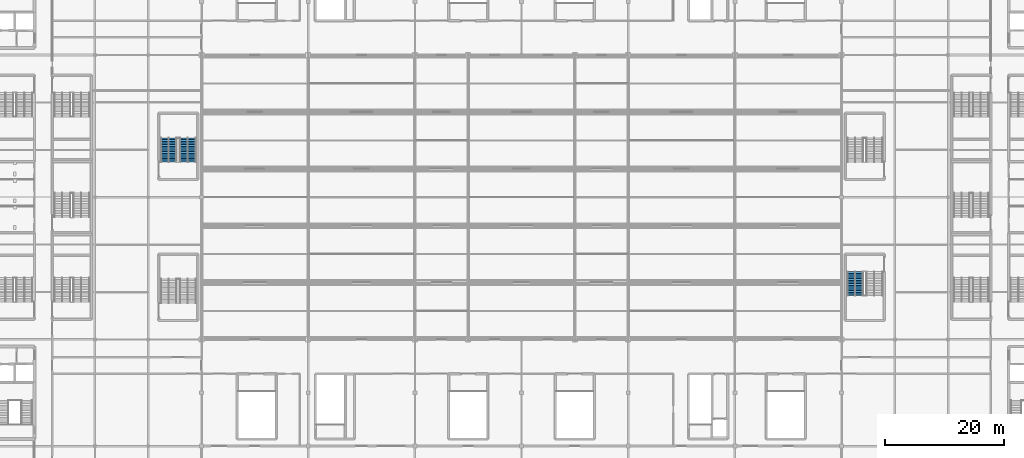
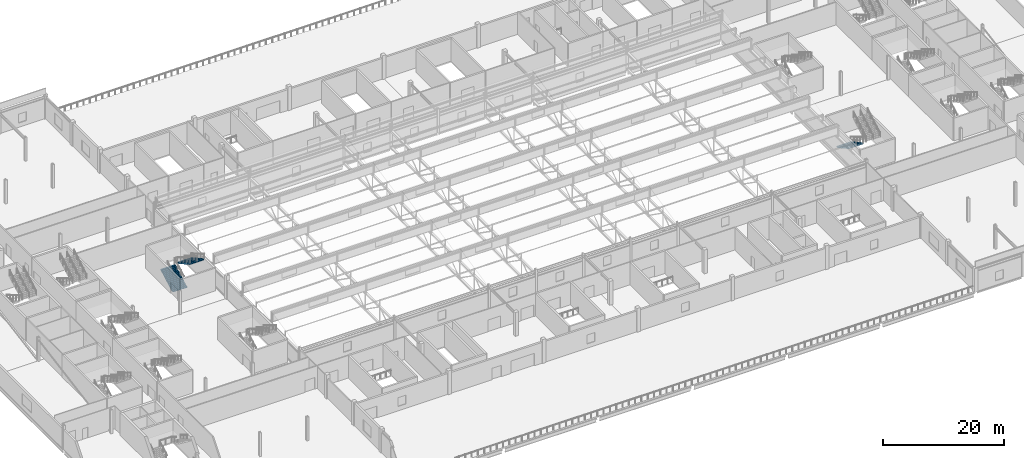
# One storey, part 120 of 136: 3 stair flights, 2 elements without a shape of their own.
"""IFC4 building model written with IfcOpenShell, lengths in metres."""

from ifc_helpers import new_model, si_unit, direction, frame, origin, place, context, subcontext, project, spatial, polygons, material, type_object, element, aggregate, save


model = new_model("IFC4")

# Units and contexts
model_context = context("Model", 3, precision=1e-05, world=origin(), true_north=direction((0.0, 1.0)))
body_context = subcontext(model_context, "Body", "Model", "MODEL_VIEW")
ifc_project = project(units=[si_unit("LENGTHUNIT", "METRE"), si_unit("AREAUNIT", "SQUARE_METRE"), si_unit("VOLUMEUNIT", "CUBIC_METRE"), si_unit("PLANEANGLEUNIT", "RADIAN"), si_unit("MASSUNIT", "GRAM", prefix="KILO")], contexts=[model_context])

# Site, building, storey
site_placement = place(None, origin())
site = spatial("IfcSite", under=ifc_project, at=site_placement, CompositionType="ELEMENT")
building_placement = place(site_placement, origin())
building = spatial("IfcBuilding", under=site, at=building_placement, Name="Kisiwana Market Hall", CompositionType="ELEMENT")
storey_placement = place(building_placement, frame((0.0, 0.0, 16.800048828125)))
storey = spatial("IfcBuildingStorey", under=building, at=storey_placement, Name="L03", CompositionType="ELEMENT", Elevation=16.800048828125)

# Stair, stair flight
ifc_material_1 = material(Name="Concrete C32/40", Category="concrete")
stair_type = type_object("IfcStairType", Name="ST-ESC-4800", PredefinedType="TWO_STRAIGHT_RUN_STAIR", material=ifc_material_1)
stair_1_placement = place(storey_placement, origin())
stair_1 = element("IfcStair", 1, at=stair_1_placement, inside=storey, type_object=stair_type, Name="Escape stair ST-E9-L03", PredefinedType="TWO_STRAIGHT_RUN_STAIR")
ifc_material_2 = material(Name="Concrete C32/40", Category="concrete")
stair_flight_type = type_object("IfcStairFlightType", Name="SF-ESC-4800", PredefinedType="STRAIGHT", material=ifc_material_2)
stair_flight_1_placement = place(storey_placement, frame((155.320068359375, 47.43994140625, 0.0), z_axis=(0.0, 0.0, 1.0), x_axis=(0.0, -1.0, 0.0)))
stair_flight_1 = element("IfcStairFlight", 2, at=stair_flight_1_placement, type_object=stair_flight_type, Name="ST-E9-L03 flight 1", NumberOfRisers=15, NumberOfTreads=14, PredefinedType="STRAIGHT", RiserHeight=0.16, TreadLength=0.29, context=body_context, shape_type="Tessellation", body=[
    polygons([(0.0, -1.380127, 0.0), (0.0, -0.690125, 0.0), (0.0, -0.000122, 0.0), (0.0, 0.68988, 0.0), (0.0, 1.379883, 0.0), (0.0, -1.380127, 0.159912), (0.0, -0.690125, 0.159912), (0.0, -0.000122, 0.159912), (0.0, 0.68988, 0.159912), (0.0, 1.379883, 0.159912), (0.290039, -1.380127, 0.159912), (0.290039, -0.690125, 0.159912), (0.290039, -0.000122, 0.159912), (0.290039, 0.68988, 0.159912), (0.290039, 1.379883, 0.159912), (0.290039, -1.380127, 0.320068), (0.290039, -0.690125, 0.320068), (0.290039, -0.000122, 0.320068), (0.290039, 0.68988, 0.320068), (0.290039, 1.379883, 0.320068), (0.580078, -1.380127, 0.320068), (0.580078, -0.690125, 0.320068), (0.580078, -0.000122, 0.320068), (0.580078, 0.68988, 0.320068), (0.580078, 1.379883, 0.320068), (0.580078, -1.380127, 0.47998), (0.580078, -0.690125, 0.47998), (0.580078, -0.000122, 0.47998), (0.580078, 0.68988, 0.47998), (0.580078, 1.379883, 0.47998), (0.870117, -1.380127, 0.47998), (0.870117, -0.690125, 0.47998), (0.870117, -0.000122, 0.47998), (0.870117, 0.68988, 0.47998), (0.870117, 1.379883, 0.47998), (0.870117, -1.380127, 0.639893), (0.870117, -0.690125, 0.639893), (0.870117, -0.000122, 0.639893), (0.870117, 0.68988, 0.639893), (0.870117, 1.379883, 0.639893), (1.159912, -1.380127, 0.639893), (1.159912, -0.690125, 0.639893), (1.159912, -0.000122, 0.639893), (1.159912, 0.68988, 0.639893), (1.159912, 1.379883, 0.639893), (1.159912, -1.380127, 0.800049), (1.159912, -0.690125, 0.800049), (1.159912, -0.000122, 0.800049), (1.159912, 0.68988, 0.800049), (1.159912, 1.379883, 0.800049), (1.449951, -1.380127, 0.800049), (1.449951, -0.690125, 0.800049), (1.449951, -0.000122, 0.800049), (1.449951, 0.68988, 0.800049), (1.449951, 1.379883, 0.800049), (1.449951, -1.380127, 0.959961), (1.449951, -0.690125, 0.959961), (1.449951, -0.000122, 0.959961), (1.449951, 0.68988, 0.959961), (1.449951, 1.379883, 0.959961), (1.73999, -1.380127, 0.959961), (1.73999, -0.690125, 0.959961), (1.73999, -0.000122, 0.959961), (1.73999, 0.68988, 0.959961), (1.73999, 1.379883, 0.959961), (1.73999, -1.380127, 1.120117), (1.73999, -0.690125, 1.120117), (1.73999, -0.000122, 1.120117), (1.73999, 0.68988, 1.120117), (1.73999, 1.379883, 1.120117), (2.030029, -1.380127, 1.120117), (2.030029, -0.690125, 1.120117), (2.030029, -0.000122, 1.120117), (2.030029, 0.68988, 1.120117), (2.030029, 1.379883, 1.120117), (2.030029, -1.380127, 1.280029), (2.030029, -0.690125, 1.280029), (2.030029, -0.000122, 1.280029), (2.030029, 0.68988, 1.280029), (2.030029, 1.379883, 1.280029), (2.320068, -1.380127, 1.280029), (2.320068, -0.690125, 1.280029), (2.320068, -0.000122, 1.280029), (2.320068, 0.68988, 1.280029), (2.320068, 1.379883, 1.280029), (2.320068, -1.380127, 1.439941), (2.320068, -0.690125, 1.439941), (2.320068, -0.000122, 1.439941), (2.320068, 0.68988, 1.439941), (2.320068, 1.379883, 1.439941), (2.610107, -1.380127, 1.439941), (2.610107, -0.690125, 1.439941), (2.610107, -0.000122, 1.439941), (2.610107, 0.68988, 1.439941), (2.610107, 1.379883, 1.439941), (2.610107, -1.380127, 1.600098), (2.610107, -0.690125, 1.600098), (2.610107, -0.000122, 1.600098), (2.610107, 0.68988, 1.600098), (2.610107, 1.379883, 1.600098), (2.899902, -1.380127, 1.600098), (2.899902, -0.690125, 1.600098), (2.899902, -0.000122, 1.600098), (2.899902, 0.68988, 1.600098), (2.899902, 1.379883, 1.600098), (2.899902, -1.380127, 1.76001), (2.899902, -0.690125, 1.76001), (2.899902, -0.000122, 1.76001), (2.899902, 0.68988, 1.76001), (2.899902, 1.379883, 1.76001), (3.189941, -1.380127, 1.76001), (3.189941, -0.690125, 1.76001), (3.189941, -0.000122, 1.76001), (3.189941, 0.68988, 1.76001), (3.189941, 1.379883, 1.76001), (3.189941, -1.380127, 1.919922), (3.189941, -0.690125, 1.919922), (3.189941, -0.000122, 1.919922), (3.189941, 0.68988, 1.919922), (3.189941, 1.379883, 1.919922), (3.47998, -1.380127, 1.919922), (3.47998, -0.690125, 1.919922), (3.47998, -0.000122, 1.919922), (3.47998, 0.68988, 1.919922), (3.47998, 1.379883, 1.919922), (3.47998, -1.380127, 2.080078), (3.47998, -0.690125, 2.080078), (3.47998, -0.000122, 2.080078), (3.47998, 0.68988, 2.080078), (3.47998, 1.379883, 2.080078), (3.77002, -1.380127, 2.080078), (3.77002, -0.690125, 2.080078), (3.77002, -0.000122, 2.080078), (3.77002, 0.68988, 2.080078), (3.77002, 1.379883, 2.080078), (3.77002, -1.380127, 2.23999), (3.77002, -0.690125, 2.23999), (3.77002, -0.000122, 2.23999), (3.77002, 0.68988, 2.23999), (3.77002, 1.379883, 2.23999), (4.060059, -1.380127, 2.23999), (4.060059, -0.690125, 2.23999), (4.060059, -0.000122, 2.23999), (4.060059, 0.68988, 2.23999), (4.060059, 1.379883, 2.23999), (4.060059, -1.380127, 2.034424), (4.060059, -0.690125, 2.034424), (4.060059, -0.000122, 2.034424), (4.060059, 0.68988, 2.034424), (4.060059, 1.379883, 2.034424), (0.372559, -1.380127, 0.0), (0.372559, -0.690125, 0.0), (0.372559, -0.000122, 0.0), (0.372559, 0.68988, 0.0), (0.372559, 1.379883, 0.0)], [[[1, 6, 7, 2]], [[2, 7, 8, 3]], [[3, 8, 9, 4]], [[4, 9, 10, 5]], [[6, 11, 12, 7]], [[7, 12, 13, 8]], [[8, 13, 14, 9]], [[9, 14, 15, 10]], [[11, 16, 17, 12]], [[12, 17, 18, 13]], [[13, 18, 19, 14]], [[14, 19, 20, 15]], [[16, 21, 22, 17]], [[17, 22, 23, 18]], [[18, 23, 24, 19]], [[19, 24, 25, 20]], [[21, 26, 27, 22]], [[22, 27, 28, 23]], [[23, 28, 29, 24]], [[24, 29, 30, 25]], [[26, 31, 32, 27]], [[27, 32, 33, 28]], [[28, 33, 34, 29]], [[29, 34, 35, 30]], [[31, 36, 37, 32]], [[32, 37, 38, 33]], [[33, 38, 39, 34]], [[34, 39, 40, 35]], [[36, 41, 42, 37]], [[37, 42, 43, 38]], [[38, 43, 44, 39]], [[39, 44, 45, 40]], [[41, 46, 47, 42]], [[42, 47, 48, 43]], [[43, 48, 49, 44]], [[44, 49, 50, 45]], [[46, 51, 52, 47]], [[47, 52, 53, 48]], [[48, 53, 54, 49]], [[49, 54, 55, 50]], [[51, 56, 57, 52]], [[52, 57, 58, 53]], [[53, 58, 59, 54]], [[54, 59, 60, 55]], [[56, 61, 62, 57]], [[57, 62, 63, 58]], [[58, 63, 64, 59]], [[59, 64, 65, 60]], [[61, 66, 67, 62]], [[62, 67, 68, 63]], [[63, 68, 69, 64]], [[64, 69, 70, 65]], [[66, 71, 72, 67]], [[67, 72, 73, 68]], [[68, 73, 74, 69]], [[69, 74, 75, 70]], [[71, 76, 77, 72]], [[72, 77, 78, 73]], [[73, 78, 79, 74]], [[74, 79, 80, 75]], [[76, 81, 82, 77]], [[77, 82, 83, 78]], [[78, 83, 84, 79]], [[79, 84, 85, 80]], [[81, 86, 87, 82]], [[82, 87, 88, 83]], [[83, 88, 89, 84]], [[84, 89, 90, 85]], [[86, 91, 92, 87]], [[87, 92, 93, 88]], [[88, 93, 94, 89]], [[89, 94, 95, 90]], [[91, 96, 97, 92]], [[92, 97, 98, 93]], [[93, 98, 99, 94]], [[94, 99, 100, 95]], [[96, 101, 102, 97]], [[97, 102, 103, 98]], [[98, 103, 104, 99]], [[99, 104, 105, 100]], [[101, 106, 107, 102]], [[102, 107, 108, 103]], [[103, 108, 109, 104]], [[104, 109, 110, 105]], [[106, 111, 112, 107]], [[107, 112, 113, 108]], [[108, 113, 114, 109]], [[109, 114, 115, 110]], [[111, 116, 117, 112]], [[112, 117, 118, 113]], [[113, 118, 119, 114]], [[114, 119, 120, 115]], [[116, 121, 122, 117]], [[117, 122, 123, 118]], [[118, 123, 124, 119]], [[119, 124, 125, 120]], [[121, 126, 127, 122]], [[122, 127, 128, 123]], [[123, 128, 129, 124]], [[124, 129, 130, 125]], [[126, 131, 132, 127]], [[127, 132, 133, 128]], [[128, 133, 134, 129]], [[129, 134, 135, 130]], [[131, 136, 137, 132]], [[132, 137, 138, 133]], [[133, 138, 139, 134]], [[134, 139, 140, 135]], [[136, 141, 142, 137]], [[137, 142, 143, 138]], [[138, 143, 144, 139]], [[139, 144, 145, 140]], [[141, 146, 147, 142]], [[142, 147, 148, 143]], [[143, 148, 149, 144]], [[144, 149, 150, 145]], [[146, 151, 152, 147]], [[147, 152, 153, 148]], [[148, 153, 154, 149]], [[149, 154, 155, 150]], [[151, 1, 2, 152]], [[152, 2, 3, 153]], [[153, 3, 4, 154]], [[154, 4, 5, 155]], [[151, 146, 141, 136, 131, 126, 121, 116, 111, 106, 101, 96, 91, 86, 81, 76, 71, 66, 61, 56, 51, 46, 41, 36, 31, 26, 21, 16, 11, 6, 1]], [[5, 10, 15, 20, 25, 30, 35, 40, 45, 50, 55, 60, 65, 70, 75, 80, 85, 90, 95, 100, 105, 110, 115, 120, 125, 130, 135, 140, 145, 150, 155]]], closed=True),
])
aggregate(stair_1, [stair_flight_1])

# Stair, stair flights
stair_2_placement = place(storey_placement, origin())
stair_2 = element("IfcStair", 3, at=stair_2_placement, inside=storey, type_object=stair_type, Name="Escape stair ST-W10-L03", PredefinedType="TWO_STRAIGHT_RUN_STAIR")
stair_flight_2_placement = place(storey_placement, frame((39.4599609375, 65.9599609375, 0.0), z_axis=(0.0, 0.0, 1.0), x_axis=(0.0, 1.0, 0.0)))
stair_flight_2 = element("IfcStairFlight", 4, at=stair_flight_2_placement, type_object=stair_flight_type, Name="ST-W10-L03 flight 1", NumberOfRisers=15, NumberOfTreads=14, PredefinedType="STRAIGHT", RiserHeight=0.16, TreadLength=0.29, context=body_context, shape_type="Tessellation", body=[
    polygons([(0.0, -1.380127, 0.0), (0.0, -0.690125, 0.0), (0.0, -0.000122, 0.0), (0.0, 0.68988, 0.0), (0.0, 1.379883, 0.0), (0.0, -1.380127, 0.159912), (0.0, -0.690125, 0.159912), (0.0, -0.000122, 0.159912), (0.0, 0.68988, 0.159912), (0.0, 1.379883, 0.159912), (0.290039, -1.380127, 0.159912), (0.290039, -0.690125, 0.159912), (0.290039, -0.000122, 0.159912), (0.290039, 0.68988, 0.159912), (0.290039, 1.379883, 0.159912), (0.290039, -1.380127, 0.320068), (0.290039, -0.690125, 0.320068), (0.290039, -0.000122, 0.320068), (0.290039, 0.68988, 0.320068), (0.290039, 1.379883, 0.320068), (0.580078, -1.380127, 0.320068), (0.580078, -0.690125, 0.320068), (0.580078, -0.000122, 0.320068), (0.580078, 0.68988, 0.320068), (0.580078, 1.379883, 0.320068), (0.580078, -1.380127, 0.47998), (0.580078, -0.690125, 0.47998), (0.580078, -0.000122, 0.47998), (0.580078, 0.68988, 0.47998), (0.580078, 1.379883, 0.47998), (0.870117, -1.380127, 0.47998), (0.870117, -0.690125, 0.47998), (0.870117, -0.000122, 0.47998), (0.870117, 0.68988, 0.47998), (0.870117, 1.379883, 0.47998), (0.870117, -1.380127, 0.639893), (0.870117, -0.690125, 0.639893), (0.870117, -0.000122, 0.639893), (0.870117, 0.68988, 0.639893), (0.870117, 1.379883, 0.639893), (1.159912, -1.380127, 0.639893), (1.159912, -0.690125, 0.639893), (1.159912, -0.000122, 0.639893), (1.159912, 0.68988, 0.639893), (1.159912, 1.379883, 0.639893), (1.159912, -1.380127, 0.800049), (1.159912, -0.690125, 0.800049), (1.159912, -0.000122, 0.800049), (1.159912, 0.68988, 0.800049), (1.159912, 1.379883, 0.800049), (1.449951, -1.380127, 0.800049), (1.449951, -0.690125, 0.800049), (1.449951, -0.000122, 0.800049), (1.449951, 0.68988, 0.800049), (1.449951, 1.379883, 0.800049), (1.449951, -1.380127, 0.959961), (1.449951, -0.690125, 0.959961), (1.449951, -0.000122, 0.959961), (1.449951, 0.68988, 0.959961), (1.449951, 1.379883, 0.959961), (1.73999, -1.380127, 0.959961), (1.73999, -0.690125, 0.959961), (1.73999, -0.000122, 0.959961), (1.73999, 0.68988, 0.959961), (1.73999, 1.379883, 0.959961), (1.73999, -1.380127, 1.120117), (1.73999, -0.690125, 1.120117), (1.73999, -0.000122, 1.120117), (1.73999, 0.68988, 1.120117), (1.73999, 1.379883, 1.120117), (2.030029, -1.380127, 1.120117), (2.030029, -0.690125, 1.120117), (2.030029, -0.000122, 1.120117), (2.030029, 0.68988, 1.120117), (2.030029, 1.379883, 1.120117), (2.030029, -1.380127, 1.280029), (2.030029, -0.690125, 1.280029), (2.030029, -0.000122, 1.280029), (2.030029, 0.68988, 1.280029), (2.030029, 1.379883, 1.280029), (2.320068, -1.380127, 1.280029), (2.320068, -0.690125, 1.280029), (2.320068, -0.000122, 1.280029), (2.320068, 0.68988, 1.280029), (2.320068, 1.379883, 1.280029), (2.320068, -1.380127, 1.439941), (2.320068, -0.690125, 1.439941), (2.320068, -0.000122, 1.439941), (2.320068, 0.68988, 1.439941), (2.320068, 1.379883, 1.439941), (2.610107, -1.380127, 1.439941), (2.610107, -0.690125, 1.439941), (2.610107, -0.000122, 1.439941), (2.610107, 0.68988, 1.439941), (2.610107, 1.379883, 1.439941), (2.610107, -1.380127, 1.600098), (2.610107, -0.690125, 1.600098), (2.610107, -0.000122, 1.600098), (2.610107, 0.68988, 1.600098), (2.610107, 1.379883, 1.600098), (2.899902, -1.380127, 1.600098), (2.899902, -0.690125, 1.600098), (2.899902, -0.000122, 1.600098), (2.899902, 0.68988, 1.600098), (2.899902, 1.379883, 1.600098), (2.899902, -1.380127, 1.76001), (2.899902, -0.690125, 1.76001), (2.899902, -0.000122, 1.76001), (2.899902, 0.68988, 1.76001), (2.899902, 1.379883, 1.76001), (3.189941, -1.380127, 1.76001), (3.189941, -0.690125, 1.76001), (3.189941, -0.000122, 1.76001), (3.189941, 0.68988, 1.76001), (3.189941, 1.379883, 1.76001), (3.189941, -1.380127, 1.919922), (3.189941, -0.690125, 1.919922), (3.189941, -0.000122, 1.919922), (3.189941, 0.68988, 1.919922), (3.189941, 1.379883, 1.919922), (3.47998, -1.380127, 1.919922), (3.47998, -0.690125, 1.919922), (3.47998, -0.000122, 1.919922), (3.47998, 0.68988, 1.919922), (3.47998, 1.379883, 1.919922), (3.47998, -1.380127, 2.080078), (3.47998, -0.690125, 2.080078), (3.47998, -0.000122, 2.080078), (3.47998, 0.68988, 2.080078), (3.47998, 1.379883, 2.080078), (3.77002, -1.380127, 2.080078), (3.77002, -0.690125, 2.080078), (3.77002, -0.000122, 2.080078), (3.77002, 0.68988, 2.080078), (3.77002, 1.379883, 2.080078), (3.77002, -1.380127, 2.23999), (3.77002, -0.690125, 2.23999), (3.77002, -0.000122, 2.23999), (3.77002, 0.68988, 2.23999), (3.77002, 1.379883, 2.23999), (4.060059, -1.380127, 2.23999), (4.060059, -0.690125, 2.23999), (4.060059, -0.000122, 2.23999), (4.060059, 0.68988, 2.23999), (4.060059, 1.379883, 2.23999), (4.060059, -1.380127, 2.034424), (4.060059, -0.690125, 2.034424), (4.060059, -0.000122, 2.034424), (4.060059, 0.68988, 2.034424), (4.060059, 1.379883, 2.034424), (0.372559, -1.380127, 0.0), (0.372559, -0.690125, 0.0), (0.372559, -0.000122, 0.0), (0.372559, 0.68988, 0.0), (0.372559, 1.379883, 0.0)], [[[1, 6, 7, 2]], [[2, 7, 8, 3]], [[3, 8, 9, 4]], [[4, 9, 10, 5]], [[6, 11, 12, 7]], [[7, 12, 13, 8]], [[8, 13, 14, 9]], [[9, 14, 15, 10]], [[11, 16, 17, 12]], [[12, 17, 18, 13]], [[13, 18, 19, 14]], [[14, 19, 20, 15]], [[16, 21, 22, 17]], [[17, 22, 23, 18]], [[18, 23, 24, 19]], [[19, 24, 25, 20]], [[21, 26, 27, 22]], [[22, 27, 28, 23]], [[23, 28, 29, 24]], [[24, 29, 30, 25]], [[26, 31, 32, 27]], [[27, 32, 33, 28]], [[28, 33, 34, 29]], [[29, 34, 35, 30]], [[31, 36, 37, 32]], [[32, 37, 38, 33]], [[33, 38, 39, 34]], [[34, 39, 40, 35]], [[36, 41, 42, 37]], [[37, 42, 43, 38]], [[38, 43, 44, 39]], [[39, 44, 45, 40]], [[41, 46, 47, 42]], [[42, 47, 48, 43]], [[43, 48, 49, 44]], [[44, 49, 50, 45]], [[46, 51, 52, 47]], [[47, 52, 53, 48]], [[48, 53, 54, 49]], [[49, 54, 55, 50]], [[51, 56, 57, 52]], [[52, 57, 58, 53]], [[53, 58, 59, 54]], [[54, 59, 60, 55]], [[56, 61, 62, 57]], [[57, 62, 63, 58]], [[58, 63, 64, 59]], [[59, 64, 65, 60]], [[61, 66, 67, 62]], [[62, 67, 68, 63]], [[63, 68, 69, 64]], [[64, 69, 70, 65]], [[66, 71, 72, 67]], [[67, 72, 73, 68]], [[68, 73, 74, 69]], [[69, 74, 75, 70]], [[71, 76, 77, 72]], [[72, 77, 78, 73]], [[73, 78, 79, 74]], [[74, 79, 80, 75]], [[76, 81, 82, 77]], [[77, 82, 83, 78]], [[78, 83, 84, 79]], [[79, 84, 85, 80]], [[81, 86, 87, 82]], [[82, 87, 88, 83]], [[83, 88, 89, 84]], [[84, 89, 90, 85]], [[86, 91, 92, 87]], [[87, 92, 93, 88]], [[88, 93, 94, 89]], [[89, 94, 95, 90]], [[91, 96, 97, 92]], [[92, 97, 98, 93]], [[93, 98, 99, 94]], [[94, 99, 100, 95]], [[96, 101, 102, 97]], [[97, 102, 103, 98]], [[98, 103, 104, 99]], [[99, 104, 105, 100]], [[101, 106, 107, 102]], [[102, 107, 108, 103]], [[103, 108, 109, 104]], [[104, 109, 110, 105]], [[106, 111, 112, 107]], [[107, 112, 113, 108]], [[108, 113, 114, 109]], [[109, 114, 115, 110]], [[111, 116, 117, 112]], [[112, 117, 118, 113]], [[113, 118, 119, 114]], [[114, 119, 120, 115]], [[116, 121, 122, 117]], [[117, 122, 123, 118]], [[118, 123, 124, 119]], [[119, 124, 125, 120]], [[121, 126, 127, 122]], [[122, 127, 128, 123]], [[123, 128, 129, 124]], [[124, 129, 130, 125]], [[126, 131, 132, 127]], [[127, 132, 133, 128]], [[128, 133, 134, 129]], [[129, 134, 135, 130]], [[131, 136, 137, 132]], [[132, 137, 138, 133]], [[133, 138, 139, 134]], [[134, 139, 140, 135]], [[136, 141, 142, 137]], [[137, 142, 143, 138]], [[138, 143, 144, 139]], [[139, 144, 145, 140]], [[141, 146, 147, 142]], [[142, 147, 148, 143]], [[143, 148, 149, 144]], [[144, 149, 150, 145]], [[146, 151, 152, 147]], [[147, 152, 153, 148]], [[148, 153, 154, 149]], [[149, 154, 155, 150]], [[151, 1, 2, 152]], [[152, 2, 3, 153]], [[153, 3, 4, 154]], [[154, 4, 5, 155]], [[151, 146, 141, 136, 131, 126, 121, 116, 111, 106, 101, 96, 91, 86, 81, 76, 71, 66, 61, 56, 51, 46, 41, 36, 31, 26, 21, 16, 11, 6, 1]], [[5, 10, 15, 20, 25, 30, 35, 40, 45, 50, 55, 60, 65, 70, 75, 80, 85, 90, 95, 100, 105, 110, 115, 120, 125, 130, 135, 140, 145, 150, 155]]], closed=True),
])
stair_flight_3_placement = place(storey_placement, frame((42.679931640625, 70.02001953125, 2.39990234375), z_axis=(0.0, 0.0, 1.0), x_axis=(0.0, -1.0, 0.0)))
stair_flight_3 = element("IfcStairFlight", 5, at=stair_flight_3_placement, type_object=stair_flight_type, Name="ST-W10-L03 flight 2", NumberOfRisers=15, NumberOfTreads=14, PredefinedType="STRAIGHT", RiserHeight=0.16, TreadLength=0.29, context=body_context, shape_type="Tessellation", body=[
    polygons([(0.0, -1.380127, 0.0), (0.0, -0.690125, 0.0), (0.0, -0.000122, 0.0), (0.0, 0.68988, 0.0), (0.0, 1.379883, 0.0), (0.0, -1.380127, 0.159912), (0.0, -0.690125, 0.159912), (0.0, -0.000122, 0.159912), (0.0, 0.68988, 0.159912), (0.0, 1.379883, 0.159912), (0.290039, -1.380127, 0.159912), (0.290039, -0.690125, 0.159912), (0.290039, -0.000122, 0.159912), (0.290039, 0.68988, 0.159912), (0.290039, 1.379883, 0.159912), (0.290039, -1.380127, 0.320068), (0.290039, -0.690125, 0.320068), (0.290039, -0.000122, 0.320068), (0.290039, 0.68988, 0.320068), (0.290039, 1.379883, 0.320068), (0.580078, -1.380127, 0.320068), (0.580078, -0.690125, 0.320068), (0.580078, -0.000122, 0.320068), (0.580078, 0.68988, 0.320068), (0.580078, 1.379883, 0.320068), (0.580078, -1.380127, 0.47998), (0.580078, -0.690125, 0.47998), (0.580078, -0.000122, 0.47998), (0.580078, 0.68988, 0.47998), (0.580078, 1.379883, 0.47998), (0.870117, -1.380127, 0.47998), (0.870117, -0.690125, 0.47998), (0.870117, -0.000122, 0.47998), (0.870117, 0.68988, 0.47998), (0.870117, 1.379883, 0.47998), (0.870117, -1.380127, 0.639893), (0.870117, -0.690125, 0.639893), (0.870117, -0.000122, 0.639893), (0.870117, 0.68988, 0.639893), (0.870117, 1.379883, 0.639893), (1.159912, -1.380127, 0.639893), (1.159912, -0.690125, 0.639893), (1.159912, -0.000122, 0.639893), (1.159912, 0.68988, 0.639893), (1.159912, 1.379883, 0.639893), (1.159912, -1.380127, 0.800049), (1.159912, -0.690125, 0.800049), (1.159912, -0.000122, 0.800049), (1.159912, 0.68988, 0.800049), (1.159912, 1.379883, 0.800049), (1.449951, -1.380127, 0.800049), (1.449951, -0.690125, 0.800049), (1.449951, -0.000122, 0.800049), (1.449951, 0.68988, 0.800049), (1.449951, 1.379883, 0.800049), (1.449951, -1.380127, 0.959961), (1.449951, -0.690125, 0.959961), (1.449951, -0.000122, 0.959961), (1.449951, 0.68988, 0.959961), (1.449951, 1.379883, 0.959961), (1.73999, -1.380127, 0.959961), (1.73999, -0.690125, 0.959961), (1.73999, -0.000122, 0.959961), (1.73999, 0.68988, 0.959961), (1.73999, 1.379883, 0.959961), (1.73999, -1.380127, 1.120117), (1.73999, -0.690125, 1.120117), (1.73999, -0.000122, 1.120117), (1.73999, 0.68988, 1.120117), (1.73999, 1.379883, 1.120117), (2.030029, -1.380127, 1.120117), (2.030029, -0.690125, 1.120117), (2.030029, -0.000122, 1.120117), (2.030029, 0.68988, 1.120117), (2.030029, 1.379883, 1.120117), (2.030029, -1.380127, 1.280029), (2.030029, -0.690125, 1.280029), (2.030029, -0.000122, 1.280029), (2.030029, 0.68988, 1.280029), (2.030029, 1.379883, 1.280029), (2.320068, -1.380127, 1.280029), (2.320068, -0.690125, 1.280029), (2.320068, -0.000122, 1.280029), (2.320068, 0.68988, 1.280029), (2.320068, 1.379883, 1.280029), (2.320068, -1.380127, 1.439941), (2.320068, -0.690125, 1.439941), (2.320068, -0.000122, 1.439941), (2.320068, 0.68988, 1.439941), (2.320068, 1.379883, 1.439941), (2.610107, -1.380127, 1.439941), (2.610107, -0.690125, 1.439941), (2.610107, -0.000122, 1.439941), (2.610107, 0.68988, 1.439941), (2.610107, 1.379883, 1.439941), (2.610107, -1.380127, 1.600098), (2.610107, -0.690125, 1.600098), (2.610107, -0.000122, 1.600098), (2.610107, 0.68988, 1.600098), (2.610107, 1.379883, 1.600098), (2.899902, -1.380127, 1.600098), (2.899902, -0.690125, 1.600098), (2.899902, -0.000122, 1.600098), (2.899902, 0.68988, 1.600098), (2.899902, 1.379883, 1.600098), (2.899902, -1.380127, 1.76001), (2.899902, -0.690125, 1.76001), (2.899902, -0.000122, 1.76001), (2.899902, 0.68988, 1.76001), (2.899902, 1.379883, 1.76001), (3.189941, -1.380127, 1.76001), (3.189941, -0.690125, 1.76001), (3.189941, -0.000122, 1.76001), (3.189941, 0.68988, 1.76001), (3.189941, 1.379883, 1.76001), (3.189941, -1.380127, 1.919922), (3.189941, -0.690125, 1.919922), (3.189941, -0.000122, 1.919922), (3.189941, 0.68988, 1.919922), (3.189941, 1.379883, 1.919922), (3.47998, -1.380127, 1.919922), (3.47998, -0.690125, 1.919922), (3.47998, -0.000122, 1.919922), (3.47998, 0.68988, 1.919922), (3.47998, 1.379883, 1.919922), (3.47998, -1.380127, 2.080078), (3.47998, -0.690125, 2.080078), (3.47998, -0.000122, 2.080078), (3.47998, 0.68988, 2.080078), (3.47998, 1.379883, 2.080078), (3.77002, -1.380127, 2.080078), (3.77002, -0.690125, 2.080078), (3.77002, -0.000122, 2.080078), (3.77002, 0.68988, 2.080078), (3.77002, 1.379883, 2.080078), (3.77002, -1.380127, 2.23999), (3.77002, -0.690125, 2.23999), (3.77002, -0.000122, 2.23999), (3.77002, 0.68988, 2.23999), (3.77002, 1.379883, 2.23999), (4.060059, -1.380127, 2.23999), (4.060059, -0.690125, 2.23999), (4.060059, -0.000122, 2.23999), (4.060059, 0.68988, 2.23999), (4.060059, 1.379883, 2.23999), (4.060059, -1.380127, 2.034424), (4.060059, -0.690125, 2.034424), (4.060059, -0.000122, 2.034424), (4.060059, 0.68988, 2.034424), (4.060059, 1.379883, 2.034424), (0.372559, -1.380127, 0.0), (0.372559, -0.690125, 0.0), (0.372559, -0.000122, 0.0), (0.372559, 0.68988, 0.0), (0.372559, 1.379883, 0.0)], [[[1, 6, 7, 2]], [[2, 7, 8, 3]], [[3, 8, 9, 4]], [[4, 9, 10, 5]], [[6, 11, 12, 7]], [[7, 12, 13, 8]], [[8, 13, 14, 9]], [[9, 14, 15, 10]], [[11, 16, 17, 12]], [[12, 17, 18, 13]], [[13, 18, 19, 14]], [[14, 19, 20, 15]], [[16, 21, 22, 17]], [[17, 22, 23, 18]], [[18, 23, 24, 19]], [[19, 24, 25, 20]], [[21, 26, 27, 22]], [[22, 27, 28, 23]], [[23, 28, 29, 24]], [[24, 29, 30, 25]], [[26, 31, 32, 27]], [[27, 32, 33, 28]], [[28, 33, 34, 29]], [[29, 34, 35, 30]], [[31, 36, 37, 32]], [[32, 37, 38, 33]], [[33, 38, 39, 34]], [[34, 39, 40, 35]], [[36, 41, 42, 37]], [[37, 42, 43, 38]], [[38, 43, 44, 39]], [[39, 44, 45, 40]], [[41, 46, 47, 42]], [[42, 47, 48, 43]], [[43, 48, 49, 44]], [[44, 49, 50, 45]], [[46, 51, 52, 47]], [[47, 52, 53, 48]], [[48, 53, 54, 49]], [[49, 54, 55, 50]], [[51, 56, 57, 52]], [[52, 57, 58, 53]], [[53, 58, 59, 54]], [[54, 59, 60, 55]], [[56, 61, 62, 57]], [[57, 62, 63, 58]], [[58, 63, 64, 59]], [[59, 64, 65, 60]], [[61, 66, 67, 62]], [[62, 67, 68, 63]], [[63, 68, 69, 64]], [[64, 69, 70, 65]], [[66, 71, 72, 67]], [[67, 72, 73, 68]], [[68, 73, 74, 69]], [[69, 74, 75, 70]], [[71, 76, 77, 72]], [[72, 77, 78, 73]], [[73, 78, 79, 74]], [[74, 79, 80, 75]], [[76, 81, 82, 77]], [[77, 82, 83, 78]], [[78, 83, 84, 79]], [[79, 84, 85, 80]], [[81, 86, 87, 82]], [[82, 87, 88, 83]], [[83, 88, 89, 84]], [[84, 89, 90, 85]], [[86, 91, 92, 87]], [[87, 92, 93, 88]], [[88, 93, 94, 89]], [[89, 94, 95, 90]], [[91, 96, 97, 92]], [[92, 97, 98, 93]], [[93, 98, 99, 94]], [[94, 99, 100, 95]], [[96, 101, 102, 97]], [[97, 102, 103, 98]], [[98, 103, 104, 99]], [[99, 104, 105, 100]], [[101, 106, 107, 102]], [[102, 107, 108, 103]], [[103, 108, 109, 104]], [[104, 109, 110, 105]], [[106, 111, 112, 107]], [[107, 112, 113, 108]], [[108, 113, 114, 109]], [[109, 114, 115, 110]], [[111, 116, 117, 112]], [[112, 117, 118, 113]], [[113, 118, 119, 114]], [[114, 119, 120, 115]], [[116, 121, 122, 117]], [[117, 122, 123, 118]], [[118, 123, 124, 119]], [[119, 124, 125, 120]], [[121, 126, 127, 122]], [[122, 127, 128, 123]], [[123, 128, 129, 124]], [[124, 129, 130, 125]], [[126, 131, 132, 127]], [[127, 132, 133, 128]], [[128, 133, 134, 129]], [[129, 134, 135, 130]], [[131, 136, 137, 132]], [[132, 137, 138, 133]], [[133, 138, 139, 134]], [[134, 139, 140, 135]], [[136, 141, 142, 137]], [[137, 142, 143, 138]], [[138, 143, 144, 139]], [[139, 144, 145, 140]], [[141, 146, 147, 142]], [[142, 147, 148, 143]], [[143, 148, 149, 144]], [[144, 149, 150, 145]], [[146, 151, 152, 147]], [[147, 152, 153, 148]], [[148, 153, 154, 149]], [[149, 154, 155, 150]], [[151, 1, 2, 152]], [[152, 2, 3, 153]], [[153, 3, 4, 154]], [[154, 4, 5, 155]], [[151, 146, 141, 136, 131, 126, 121, 116, 111, 106, 101, 96, 91, 86, 81, 76, 71, 66, 61, 56, 51, 46, 41, 36, 31, 26, 21, 16, 11, 6, 1]], [[5, 10, 15, 20, 25, 30, 35, 40, 45, 50, 55, 60, 65, 70, 75, 80, 85, 90, 95, 100, 105, 110, 115, 120, 125, 130, 135, 140, 145, 150, 155]]], closed=True),
])
aggregate(stair_2, [stair_flight_2, stair_flight_3])

save(model, "model.ifc")
